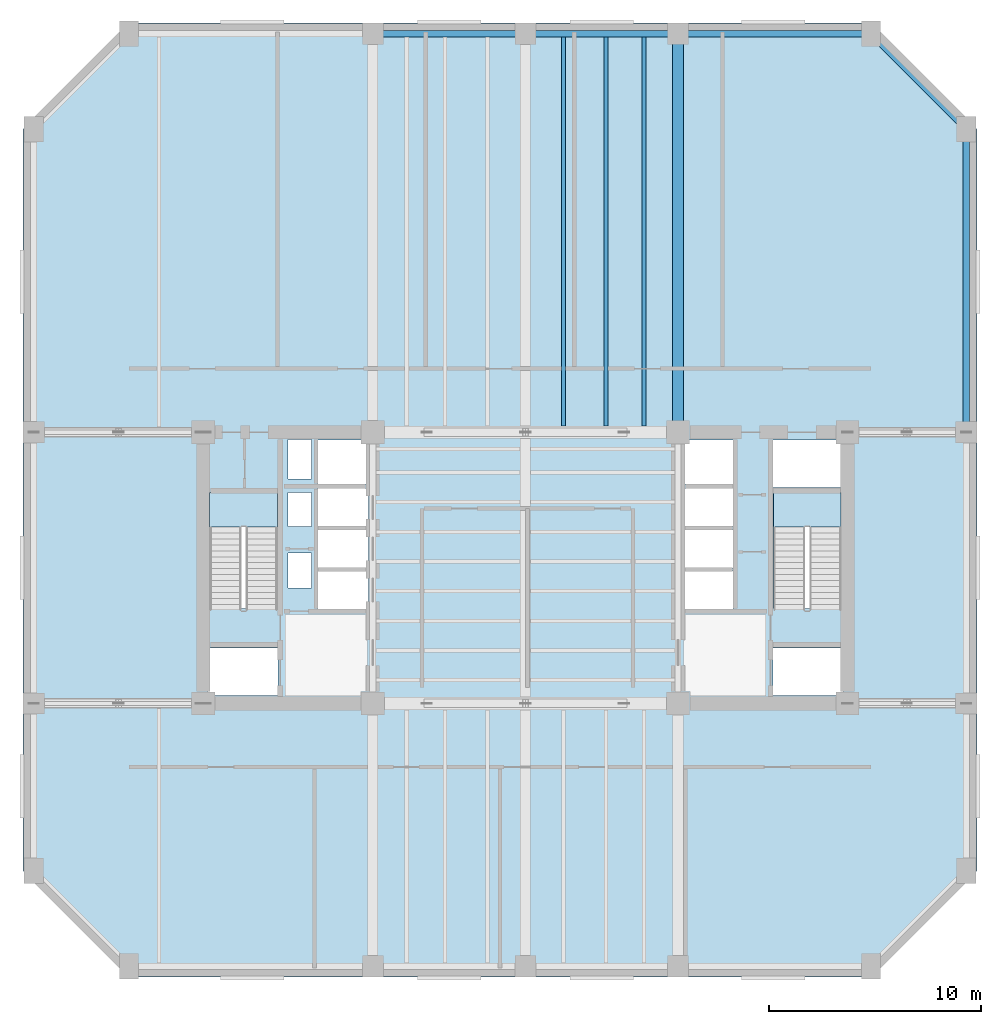
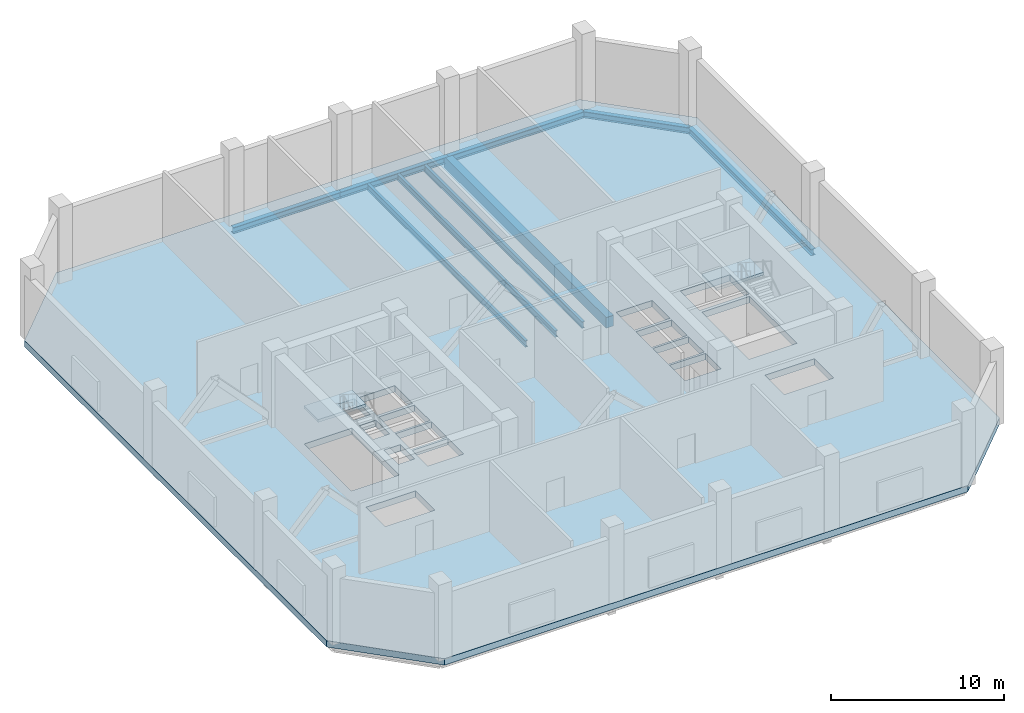
# One storey, part 2 of 9: 9 beams, 3 slabs, 2 elements without a shape of their own.
"""IFC4 building model written with IfcOpenShell, lengths in metres."""

from ifc_helpers import new_model, si_unit, direction, frame, origin, origin_2d, place, context, subcontext, project, spatial, polyline, rectangle, i_section, outline, extrude, material, layer, layer_set, material_profile, profile_set, type_object, element, aggregate, save


model = new_model("IFC4")

# Units and contexts
model_context = context("Model", 3, precision=1e-05, world=origin(), true_north=direction((0.0, 1.0)))
body_context = subcontext(model_context, "Body", "Model", "MODEL_VIEW")
ifc_project = project(units=[si_unit("LENGTHUNIT", "METRE"), si_unit("AREAUNIT", "SQUARE_METRE"), si_unit("VOLUMEUNIT", "CUBIC_METRE"), si_unit("PLANEANGLEUNIT", "RADIAN"), si_unit("MASSUNIT", "GRAM", prefix="KILO")], contexts=[model_context])

# Site, building, storey
site_placement = place(None, origin())
site = spatial("IfcSite", under=ifc_project, at=site_placement, CompositionType="ELEMENT")
building_placement = place(site_placement, origin())
building = spatial("IfcBuilding", under=site, at=building_placement, Name="Kranthara Brick Stack", CompositionType="ELEMENT")
storey_placement = place(building_placement, frame((0.0, 0.0, 110.10009765625)))
storey = spatial("IfcBuildingStorey", under=building, at=storey_placement, Name="L27", CompositionType="ELEMENT", Elevation=110.10009765625)

# Beams
ifc_material_1 = material(Name="Post-tensioned concrete C45/55", Category="concrete")
ifc_material_profile_1 = material_profile(ifc_material_1, rectangle(XDim=0.5, YDim=0.75, at=origin_2d()), Name="PT 500x750")
ifc_profile_set_1 = profile_set([ifc_material_profile_1], Name="Post-tensioned concrete C45/55")
beam_type_1 = type_object("IfcBeamType", Name="BM-FLR-PT750", PredefinedType="BEAM", material=ifc_profile_set_1)
beam_1_placement = place(storey_placement, frame((35.199951171875, 33.60009765625, -0.8251953125), z_axis=(0.0, 1.0, 0.0), x_axis=(-1.0, 0.0, 0.0)))
element("IfcBeam", 1, at=beam_1_placement, inside=storey, type_object=beam_type_1, Name="L27 Primary Grid Girder 029", PredefinedType="BEAM", context=body_context, shape_type="SweptSolid", body=[
    extrude(rectangle(XDim=0.5, YDim=0.75, at=origin_2d()), origin(), (0.0, 0.0, 1.0), 18.7998046875),
])
ifc_material_2 = material(Name="Steel S355", Category="steel")
ifc_material_profile_2 = material_profile(ifc_material_2, i_section(OverallWidth=0.18994140625, OverallDepth=0.449951171875, WebThickness=0.009521484375, FlangeThickness=0.0146484375, at=origin_2d()), Name="IPE 450")
ifc_profile_set_2 = profile_set([ifc_material_profile_2], Name="Steel S355")
beam_type_2 = type_object("IfcBeamType", Name="BM-JST-IPE450", PredefinedType="JOIST", material=ifc_profile_set_2)
for number, where, z_axis, x_axis, name in (
    (2, (29.800048828125, 33.89990234375, -0.675048828125), (0.0, 1.0, 0.0), (-1.0, 0.0, 0.0), "L27 North Wing Floor Joist 061"),
    (3, (31.800048828125, 33.89990234375, -0.675048828125), (0.0, 1.0, 0.0), (-1.0, 0.0, 0.0), "L27 North Wing Floor Joist 063"),
    (4, (33.60009765625, 33.89990234375, -0.675048828125), (0.0, 1.0, 0.0), (-1.0, 0.0, 0.0), "L27 North Wing Floor Joist 065"),
):
    element("IfcBeam", number, at=place(storey_placement, frame(where, z_axis=z_axis, x_axis=x_axis)), inside=storey, type_object=beam_type_2, Name=name, PredefinedType="JOIST", context=body_context, shape_type="SweptSolid", body=[
        extrude(i_section(OverallWidth=0.18994140625, OverallDepth=0.449951171875, WebThickness=0.009521484375, FlangeThickness=0.0146484375, at=origin_2d()), origin(), (0.0, 0.0, 1.0), 18.35009765625),
    ])
ifc_material_3 = material(Name="Steel S355", Category="steel")
ifc_material_profile_3 = material_profile(ifc_material_3, i_section(OverallWidth=0.300048828125, OverallDepth=0.449951171875, WebThickness=0.013916015625, FlangeThickness=0.02587890625, at=origin_2d()), Name="HEB 450")
ifc_profile_set_3 = profile_set([ifc_material_profile_3], Name="Steel S355")
beam_type_3 = type_object("IfcBeamType", Name="BM-STL-HEB450", PredefinedType="SPANDREL", material=ifc_profile_set_3)
for number, where, z_axis, x_axis, name in (
    (5, (20.800048828125, 52.39990234375, -0.675048828125), (1.0, 0.0, 0.0), (0.0, 1.0, 0.0), "L27 Perimeter Spandrel Beam 010"),
    (6, (28.0, 52.39990234375, -0.675048828125), (1.0, 0.0, 0.0), (0.0, 1.0, 0.0), "L27 Perimeter Spandrel Beam 011"),
):
    element("IfcBeam", number, at=place(storey_placement, frame(where, z_axis=z_axis, x_axis=x_axis)), inside=storey, type_object=beam_type_3, Name=name, PredefinedType="SPANDREL", context=body_context, shape_type="SweptSolid", body=[
        extrude(i_section(OverallWidth=0.300048828125, OverallDepth=0.449951171875, WebThickness=0.013916015625, FlangeThickness=0.02587890625, at=origin_2d()), origin(), (0.0, 0.0, 1.0), 7.199951171875),
    ])
beam_2_placement = place(storey_placement, frame((35.199951171875, 52.39990234375, -0.675048828125), z_axis=(1.0, 0.0, 0.0), x_axis=(0.0, 1.0, 0.0)))
element("IfcBeam", 7, at=beam_2_placement, inside=storey, type_object=beam_type_3, Name="L27 Perimeter Spandrel Beam 012", PredefinedType="SPANDREL", context=body_context, shape_type="SweptSolid", body=[
    extrude(i_section(OverallWidth=0.300048828125, OverallDepth=0.449951171875, WebThickness=0.013916015625, FlangeThickness=0.02587890625, at=origin_2d()), origin(), (0.0, 0.0, 1.0), 9.10009765625),
])
beam_3_placement = place(storey_placement, frame((48.800048828125, 33.60009765625, -0.675048828125), z_axis=(0.0, 1.0, 0.0), x_axis=(-1.0, 0.0, 0.0)))
element("IfcBeam", 8, at=beam_3_placement, inside=storey, type_object=beam_type_3, Name="L27 Perimeter Spandrel Beam 018", PredefinedType="SPANDREL", context=body_context, shape_type="SweptSolid", body=[
    extrude(i_section(OverallWidth=0.300048828125, OverallDepth=0.449951171875, WebThickness=0.013916015625, FlangeThickness=0.02587890625, at=origin_2d()), origin(), (0.0, 0.0, 1.0), 14.2998046875),
])
beam_4_placement = place(storey_placement, frame((44.300048828125, 52.39990234375, -0.675048828125), z_axis=(0.707106781187, -0.707106781187, 0.0), x_axis=(0.707106781187, 0.707106781187, 0.0)))
element("IfcBeam", 9, at=beam_4_placement, inside=storey, type_object=beam_type_3, Name="L27 Chamfer Corner Spandrel 022", PredefinedType="SPANDREL", context=body_context, shape_type="SweptSolid", body=[
    extrude(i_section(OverallWidth=0.300048828125, OverallDepth=0.449951171875, WebThickness=0.013916015625, FlangeThickness=0.02587890625, at=origin_2d()), origin(), (0.0, 0.0, 1.0), 6.364013671875),
])

# Stair, slab
ifc_material_4 = material(Name="Concrete C45/55", Category="concrete")
stair_type = type_object("IfcStairType", Name="ST-CORE-30R", PredefinedType="HALF_TURN_STAIR", material=ifc_material_4)
stair_1_placement = place(storey_placement, origin())
stair_1 = element("IfcStair", 10, at=stair_1_placement, inside=storey, type_object=stair_type, Name="L27 West Core Protected Exit Stair ST01", PredefinedType="HALF_TURN_STAIR")
ifc_material_5 = material(Name="Concrete C45/55", Category="concrete")
ifc_layer_1 = layer(ifc_material_5, 0.199951171875)
ifc_layer_set_1 = layer_set([ifc_layer_1], Name="Concrete C45/55")
slab_type_1 = type_object("IfcSlabType", Name="SLB-LANDING-200", PredefinedType="LANDING", material=ifc_layer_set_1)
slab_1_placement = place(storey_placement, frame((0.0, 0.0, 2.5)))
slab_1 = element("IfcSlab", 11, at=slab_1_placement, type_object=slab_type_1, Name="ST01 landing 1", PredefinedType="LANDING", context=body_context, shape_type="SweptSolid", body=[
    extrude(outline(polyline([(16.300048828125, 29.1201171875), (16.300048828125, 30.75), (13.10009765625, 30.75), (13.10009765625, 29.1201171875), (16.300048828125, 29.1201171875)])), origin(), (0.0, 0.0, 1.0), 0.199951171875),
])
aggregate(stair_1, [slab_1])

stair_2_placement = place(storey_placement, origin())
stair_2 = element("IfcStair", 12, at=stair_2_placement, inside=storey, type_object=stair_type, Name="L27 East Core Protected Exit Stair ST02", PredefinedType="HALF_TURN_STAIR")
slab_2_placement = place(storey_placement, frame((0.0, 0.0, 2.5)))
slab_2 = element("IfcSlab", 13, at=slab_2_placement, type_object=slab_type_1, Name="ST02 landing 1", PredefinedType="LANDING", context=body_context, shape_type="SweptSolid", body=[
    extrude(outline(polyline([(42.89990234375, 29.1201171875), (42.89990234375, 30.75), (39.699951171875, 30.75), (39.699951171875, 29.1201171875), (42.89990234375, 29.1201171875)])), origin(), (0.0, 0.0, 1.0), 0.199951171875),
])
aggregate(stair_2, [slab_2])

# Slab
ifc_material_6 = material(Name="Post-tensioned concrete C50/60", Category="concrete")
ifc_layer_2 = layer(ifc_material_6, 0.449951171875)
ifc_layer_set_2 = layer_set([ifc_layer_2], Name="Post-tensioned concrete C50/60")
slab_type_2 = type_object("IfcSlabType", Name="SLB-TRANS-450", PredefinedType="FLOOR", material=ifc_layer_set_2)
slab_3_placement = place(storey_placement, frame((0.0, 0.0, -0.4501953125)))
element("IfcSlab", 14, at=slab_3_placement, inside=storey, type_object=slab_type_2, Name="L27 Structural Floor Plate", PredefinedType="FLOOR", context=body_context, shape_type="SweptSolid", body=[
    extrude(outline(polyline([(9.300048828125, 7.89990234375), (44.300048828125, 7.89990234375), (49.300048828125, 12.89990234375), (49.300048828125, 47.89990234375), (44.300048828125, 52.89990234375), (9.300048828125, 52.89990234375), (4.300048828125, 47.89990234375), (4.300048828125, 12.89990234375), (9.300048828125, 7.89990234375)]), holes=[polyline([(13.10009765625, 25.280029296875), (16.300048828125, 25.280029296875), (16.300048828125, 30.75), (13.10009765625, 30.75), (13.10009765625, 25.280029296875)]), polyline([(39.699951171875, 25.280029296875), (42.89990234375, 25.280029296875), (42.89990234375, 30.75), (39.699951171875, 30.75), (39.699951171875, 25.280029296875)]), polyline([(13.0, 21.179931640625), (16.320068359375, 21.179931640625), (16.320068359375, 23.419921875), (13.0, 23.419921875), (13.0, 21.179931640625)]), polyline([(39.679931640625, 21.179931640625), (43.0, 21.179931640625), (43.0, 23.419921875), (39.679931640625, 23.419921875), (39.679931640625, 21.179931640625)]), polyline([(39.679931640625, 30.97998046875), (43.0, 30.97998046875), (43.0, 33.219970703125), (39.679931640625, 33.219970703125), (39.679931640625, 30.97998046875)]), polyline([(18.199951171875, 25.25), (20.60009765625, 25.25), (20.60009765625, 27.050048828125), (18.199951171875, 27.050048828125), (18.199951171875, 25.25)]), polyline([(18.199951171875, 27.199951171875), (20.60009765625, 27.199951171875), (20.60009765625, 29.0), (18.199951171875, 29.0), (18.199951171875, 27.199951171875)]), polyline([(18.199951171875, 29.14990234375), (20.60009765625, 29.14990234375), (20.60009765625, 30.949951171875), (18.199951171875, 30.949951171875), (18.199951171875, 29.14990234375)]), polyline([(35.39990234375, 25.25), (37.800048828125, 25.25), (37.800048828125, 27.050048828125), (35.39990234375, 27.050048828125), (35.39990234375, 25.25)]), polyline([(35.39990234375, 27.199951171875), (37.800048828125, 27.199951171875), (37.800048828125, 29.0), (35.39990234375, 29.0), (35.39990234375, 27.199951171875)]), polyline([(35.39990234375, 29.14990234375), (37.800048828125, 29.14990234375), (37.800048828125, 30.949951171875), (35.39990234375, 30.949951171875), (35.39990234375, 29.14990234375)]), polyline([(18.199951171875, 31.14990234375), (20.60009765625, 31.14990234375), (20.60009765625, 33.219970703125), (18.199951171875, 33.219970703125), (18.199951171875, 31.14990234375)]), polyline([(35.39990234375, 31.14990234375), (37.800048828125, 31.14990234375), (37.800048828125, 33.219970703125), (35.39990234375, 33.219970703125), (35.39990234375, 31.14990234375)]), polyline([(16.800048828125, 26.25), (17.89990234375, 26.25), (17.89990234375, 27.89990234375), (16.800048828125, 27.89990234375), (16.800048828125, 26.25)]), polyline([(16.800048828125, 29.14990234375), (17.89990234375, 29.14990234375), (17.89990234375, 30.75), (16.800048828125, 30.75), (16.800048828125, 29.14990234375)]), polyline([(16.800048828125, 31.39990234375), (17.89990234375, 31.39990234375), (17.89990234375, 33.25), (16.800048828125, 33.25), (16.800048828125, 31.39990234375)])]), origin(), (0.0, 0.0, 1.0), 0.4501953125),
])

save(model, "model.ifc")
